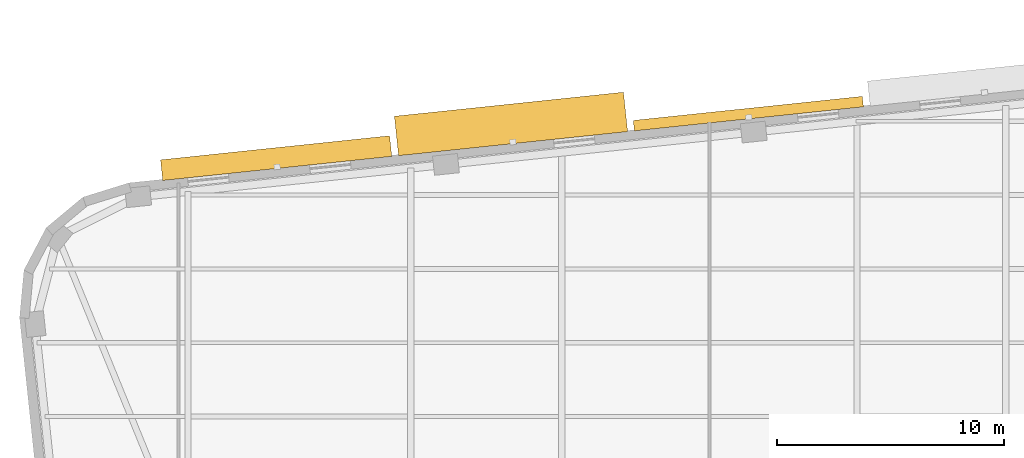
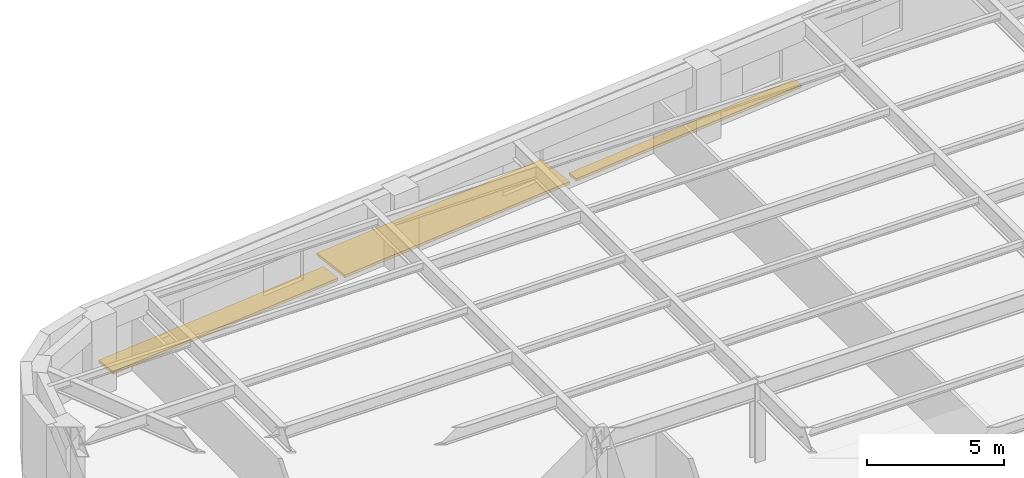
# One storey, part 11 of 12: 3 shading devices.
"""IFC4 building model written with IfcOpenShell, lengths in metres."""

from ifc_helpers import new_model, si_unit, direction, frame, origin, origin_2d, place, context, subcontext, project, spatial, rectangle, extrude, material, type_object, element, save


model = new_model("IFC4")

# Units and contexts
model_context = context("Model", 3, precision=1e-05, world=origin(), true_north=direction((0.0, 1.0)))
body_context = subcontext(model_context, "Body", "Model", "MODEL_VIEW")
ifc_project = project(units=[si_unit("LENGTHUNIT", "METRE"), si_unit("AREAUNIT", "SQUARE_METRE"), si_unit("VOLUMEUNIT", "CUBIC_METRE"), si_unit("PLANEANGLEUNIT", "RADIAN"), si_unit("MASSUNIT", "GRAM", prefix="KILO")], contexts=[model_context])

# Site, building, storey
site_placement = place(None, origin())
site = spatial("IfcSite", under=ifc_project, at=site_placement, CompositionType="ELEMENT")
building_placement = place(site_placement, origin())
building = spatial("IfcBuilding", under=site, at=building_placement, Name="Kolvaren Arena Tower", CompositionType="ELEMENT")
storey_placement = place(building_placement, frame((0.0, 0.0, 110.949951171875)))
storey = spatial("IfcBuildingStorey", under=building, at=storey_placement, Name="L25", CompositionType="ELEMENT", Elevation=110.949951171875)

# Shading devices
ifc_material = material(Name="Architectural precast GFRC and anodised aluminium sunshade", Category="concrete")
shading_device_type_1 = type_object("IfcShadingDeviceType", Name="SHAD-SINE-A", PredefinedType="USERDEFINED", material=ifc_material)
shading_device_1_placement = place(storey_placement, frame((18.427978515625, 51.380126953125, -0.139892578125), z_axis=(0.0, 0.0, 1.0), x_axis=(0.994522077803, 0.104526727499, 0.0)))
element("IfcShadingDevice", 1, at=shading_device_1_placement, inside=storey, type_object=shading_device_type_1, Name="Sinusoidal Slab-Edge Sunshade Louvre (L25)", ObjectType="LOUVRE", PredefinedType="USERDEFINED", context=body_context, shape_type="SweptSolid", body=[
    extrude(rectangle(XDim=10.139892578125, YDim=0.9140625, at=origin_2d()), origin(), (0.0, 0.0, 1.0), 0.1201171875),
])
shading_device_2_placement = place(storey_placement, frame((39.21728515625, 53.339111328125, -0.139892578125), z_axis=(0.0, 0.0, 1.0), x_axis=(0.994522077803, 0.104526727499, 0.0)))
element("IfcShadingDevice", 2, at=shading_device_2_placement, inside=storey, type_object=shading_device_type_1, Name="Sinusoidal Slab-Edge Sunshade Louvre (L25)", ObjectType="LOUVRE", PredefinedType="USERDEFINED", context=body_context, shape_type="SweptSolid", body=[
    extrude(rectangle(XDim=10.139892578125, YDim=0.46435546875, at=origin_2d()), origin(), (0.0, 0.0, 1.0), 0.1201171875),
])
shading_device_type_2 = type_object("IfcShadingDeviceType", Name="SHAD-SINE-B", PredefinedType="JALOUSIE", material=ifc_material)
shading_device_3_placement = place(storey_placement, frame((28.767333984375, 52.885009765625, -0.139892578125), z_axis=(0.0, 0.0, 1.0), x_axis=(0.994522077803, 0.104526727499, 0.0)))
element("IfcShadingDevice", 3, at=shading_device_3_placement, inside=storey, type_object=shading_device_type_2, Name="Sinusoidal Slab-Edge Sunshade Louvre (L25)", PredefinedType="JALOUSIE", context=body_context, shape_type="SweptSolid", body=[
    extrude(rectangle(XDim=10.139892578125, YDim=1.745849609375, at=origin_2d()), origin(), (0.0, 0.0, 1.0), 0.1201171875),
])

save(model, "model.ifc")
